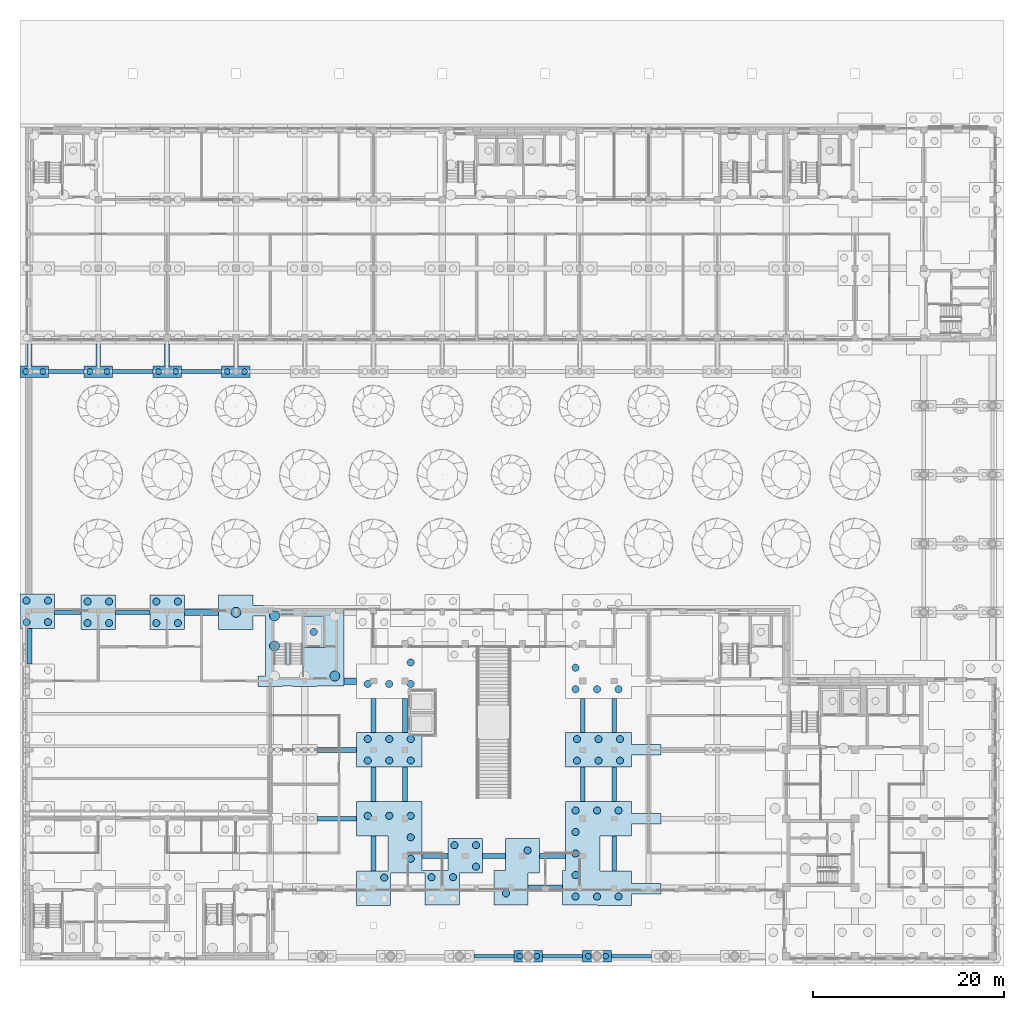
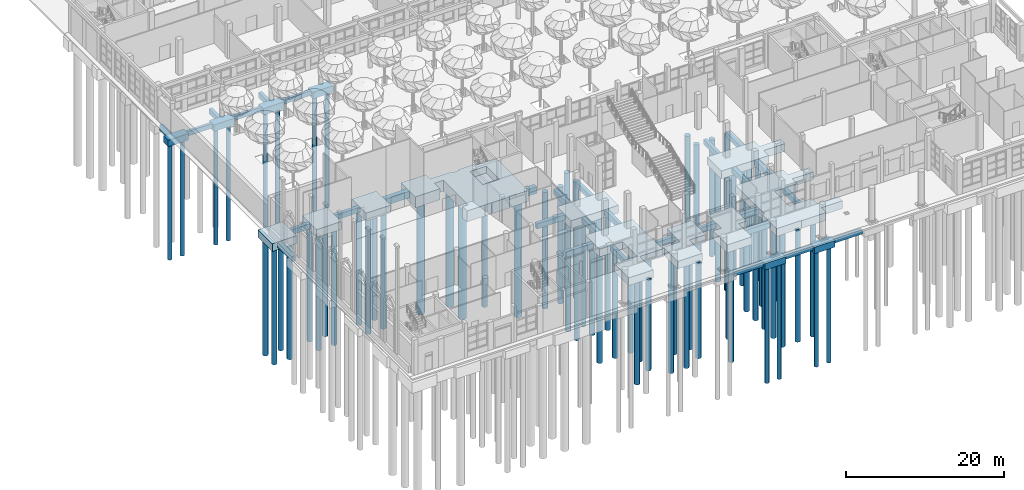
# One storey, part 2 of 80: 71 piles, 46 footings.
"""IFC4 building model written with IfcOpenShell, lengths in metres."""

from ifc_helpers import new_model, si_unit, direction, frame, origin, origin_2d, place, context, subcontext, project, spatial, polyline, rectangle, circle, outline, extrude, material, material_profile, profile_set, type_object, element, save


model = new_model("IFC4")

# Units and contexts
model_context = context("Model", 3, precision=1e-05, world=origin(), true_north=direction((0.0, 1.0)))
body_context = subcontext(model_context, "Body", "Model", "MODEL_VIEW")
ifc_project = project(units=[si_unit("LENGTHUNIT", "METRE"), si_unit("AREAUNIT", "SQUARE_METRE"), si_unit("VOLUMEUNIT", "CUBIC_METRE"), si_unit("PLANEANGLEUNIT", "RADIAN"), si_unit("MASSUNIT", "GRAM", prefix="KILO")], contexts=[model_context])

# Site, building, storey
site_placement = place(None, origin())
site = spatial("IfcSite", under=ifc_project, at=site_placement, CompositionType="ELEMENT")
building_placement = place(site_placement, origin())
building = spatial("IfcBuilding", under=site, at=building_placement, Name="Ussher Court Research Institute", CompositionType="ELEMENT")
storey_placement = place(building_placement, origin())
storey = spatial("IfcBuildingStorey", under=building, at=storey_placement, Name="L00", CompositionType="ELEMENT", Elevation=0.0)

# Piles
ifc_material_1 = material(Name="Concrete C35/45", Category="concrete")
ifc_material_profile_1 = material_profile(ifc_material_1, circle(Radius=0.52490234375, at=origin_2d()), Name="RC D1050")
ifc_profile_set_1 = profile_set([ifc_material_profile_1], Name="Concrete C35/45")
pile_type_1 = type_object("IfcPileType", Name="Bored pile D1050", PredefinedType="BORED", material=ifc_profile_set_1)
for number, where, z_axis, x_axis, name in (
    (1, (28.64990234375, 36.47509765625, -2.10009765625), (0.0, 0.0, -1.0), (1.0, 0.0, 0.0), "P5 033-02"),
    (2, (28.64990234375, 39.625, -2.10009765625), (0.0, 0.0, -1.0), (1.0, 0.0, 0.0), "P5 033-03"),
    (3, (34.949951171875, 33.324951171875, -2.10009765625), (0.0, 0.0, -1.0), (1.0, 0.0, 0.0), "P5 033-05"),
    (4, (24.60009765625, 40.0, -2.10009765625), (0.0, 0.0, -1.0), (1.0, 0.0, 0.0), "P5 033-07"),
):
    element("IfcPile", number, at=place(storey_placement, frame(where, z_axis=z_axis, x_axis=x_axis)), inside=storey, type_object=pile_type_1, Name=name, PredefinedType="BORED", context=body_context, shape_type="SweptSolid", body=[
        extrude(circle(Radius=0.52490234375, at=origin_2d()), origin(), (0.0, 0.0, 1.0), 18.0),
    ])
ifc_material_2 = material(Name="Concrete C35/45", Category="concrete")
ifc_material_profile_2 = material_profile(ifc_material_2, circle(Radius=0.300048828125, at=origin_2d()), Name="RC D600")
ifc_profile_set_2 = profile_set([ifc_material_profile_2], Name="Concrete C35/45")
pile_type_2 = type_object("IfcPileType", Name="Bored pile D600", PredefinedType="BORED", material=ifc_profile_set_2)
for number, where, z_axis, x_axis, name in (
    (5, (2.60009765625, 65.199951171875, -1.39990234375), (0.0, 0.0, -1.0), (1.0, 0.0, 0.0), "P2 013-01"),
    (6, (4.39990234375, 65.199951171875, -1.39990234375), (0.0, 0.0, -1.0), (1.0, 0.0, 0.0), "P2 013-02"),
    (7, (9.300048828125, 65.199951171875, -1.39990234375), (0.0, 0.0, -1.0), (1.0, 0.0, 0.0), "P2 021-01"),
    (8, (11.10009765625, 65.199951171875, -1.39990234375), (0.0, 0.0, -1.0), (1.0, 0.0, 0.0), "P2 021-02"),
    (9, (16.5, 65.199951171875, -1.39990234375), (0.0, 0.0, -1.0), (1.0, 0.0, 0.0), "P2 030-01"),
    (10, (18.300048828125, 65.199951171875, -1.39990234375), (0.0, 0.0, -1.0), (1.0, 0.0, 0.0), "P2 030-02"),
    (11, (23.699951171875, 65.199951171875, -1.39990234375), (0.0, 0.0, -1.0), (1.0, 0.0, 0.0), "P2 038-01"),
    (12, (25.5, 65.199951171875, -1.39990234375), (0.0, 0.0, -1.0), (1.0, 0.0, 0.0), "P2 038-02"),
    (13, (54.300048828125, 4.0, -1.39990234375), (0.0, 0.0, -1.0), (1.0, 0.0, 0.0), "P2 068-01"),
    (14, (56.10009765625, 4.0, -1.39990234375), (0.0, 0.0, -1.0), (1.0, 0.0, 0.0), "P2 068-02"),
    (15, (61.5, 4.0, -1.39990234375), (0.0, 0.0, -1.0), (1.0, 0.0, 0.0), "P2 075-01"),
    (16, (63.300048828125, 4.0, -1.39990234375), (0.0, 0.0, -1.0), (1.0, 0.0, 0.0), "P2 075-02"),
):
    element("IfcPile", number, at=place(storey_placement, frame(where, z_axis=z_axis, x_axis=x_axis)), inside=storey, type_object=pile_type_2, Name=name, PredefinedType="BORED", context=body_context, shape_type="SweptSolid", body=[
        extrude(circle(Radius=0.300048828125, at=origin_2d()), origin(), (0.0, 0.0, 1.0), 18.0),
    ])
ifc_material_3 = material(Name="Concrete C35/45", Category="concrete")
ifc_material_profile_3 = material_profile(ifc_material_3, circle(Radius=0.375, at=origin_2d()), Name="RC D750")
ifc_profile_set_3 = profile_set([ifc_material_profile_3], Name="Concrete C35/45")
pile_type_3 = type_object("IfcPileType", Name="Bored pile D750", PredefinedType="BORED", material=ifc_profile_set_3)
for number, where, z_axis, x_axis, name in (
    (17, (32.75, 37.949951171875, -2.64990234375), (0.0, 0.0, -1.0), (1.0, 0.0, 0.0), "P1 003-01"),
    (18, (2.675048828125, 38.97509765625, -1.60009765625), (0.0, 0.0, -1.0), (1.0, 0.0, 0.0), "P1 012-01"),
    (19, (2.675048828125, 41.22509765625, -1.60009765625), (0.0, 0.0, -1.0), (1.0, 0.0, 0.0), "P1 012-02"),
    (20, (4.925048828125, 38.97509765625, -1.60009765625), (0.0, 0.0, -1.0), (1.0, 0.0, 0.0), "P1 012-03"),
    (21, (4.925048828125, 41.22509765625, -1.60009765625), (0.0, 0.0, -1.0), (1.0, 0.0, 0.0), "P1 012-04"),
    (22, (9.074951171875, 38.875, -1.60009765625), (0.0, 0.0, -1.0), (1.0, 0.0, 0.0), "P1 018-01"),
    (23, (9.074951171875, 41.125, -1.60009765625), (0.0, 0.0, -1.0), (1.0, 0.0, 0.0), "P1 018-02"),
    (24, (11.324951171875, 38.875, -1.60009765625), (0.0, 0.0, -1.0), (1.0, 0.0, 0.0), "P1 018-03"),
    (25, (11.324951171875, 41.125, -1.60009765625), (0.0, 0.0, -1.0), (1.0, 0.0, 0.0), "P1 018-04"),
    (26, (16.27490234375, 38.875, -1.60009765625), (0.0, 0.0, -1.0), (1.0, 0.0, 0.0), "P1 025-01"),
    (27, (16.27490234375, 41.125, -1.60009765625), (0.0, 0.0, -1.0), (1.0, 0.0, 0.0), "P1 025-02"),
    (28, (18.52490234375, 38.875, -1.60009765625), (0.0, 0.0, -1.0), (1.0, 0.0, 0.0), "P1 025-03"),
    (29, (18.52490234375, 41.125, -1.60009765625), (0.0, 0.0, -1.0), (1.0, 0.0, 0.0), "P1 025-04"),
    (30, (38.39990234375, 18.699951171875, -1.60009765625), (0.0, 0.0, -1.0), (1.0, 0.0, 0.0), "P1 049-01"),
    (31, (40.64990234375, 18.699951171875, -1.60009765625), (0.0, 0.0, -1.0), (1.0, 0.0, 0.0), "P1 049-02"),
    (32, (42.89990234375, 14.199951171875, -1.60009765625), (0.0, 0.0, -1.0), (1.0, 0.0, 0.0), "P1 049-03"),
    (33, (42.89990234375, 16.449951171875, -1.60009765625), (0.0, 0.0, -1.0), (1.0, 0.0, 0.0), "P1 049-04"),
    (34, (42.89990234375, 18.699951171875, -1.60009765625), (0.0, 0.0, -1.0), (1.0, 0.0, 0.0), "P1 049-05"),
    (35, (40.125, 12.22509765625, -1.60009765625), (0.0, 0.0, -1.0), (1.0, 0.0, 0.0), "P1 049-09"),
    (36, (45.074951171875, 12.27490234375, -1.60009765625), (0.0, 0.0, -1.0), (1.0, 0.0, 0.0), "P1 049-11"),
    (37, (47.324951171875, 12.27490234375, -1.60009765625), (0.0, 0.0, -1.0), (1.0, 0.0, 0.0), "P1 049-13"),
    (38, (47.47509765625, 15.625, -1.60009765625), (0.0, 0.0, -1.0), (1.0, 0.0, 0.0), "P1 049-14"),
    (39, (49.72509765625, 13.375, -1.60009765625), (0.0, 0.0, -1.0), (1.0, 0.0, 0.0), "P1 049-15"),
    (40, (49.72509765625, 15.625, -1.60009765625), (0.0, 0.0, -1.0), (1.0, 0.0, 0.0), "P1 049-16"),
    (41, (38.39990234375, 24.47509765625, -1.60009765625), (0.0, 0.0, -1.0), (1.0, 0.0, 0.0), "P1 050-01"),
    (42, (38.39990234375, 26.72509765625, -1.60009765625), (0.0, 0.0, -1.0), (1.0, 0.0, 0.0), "P1 050-02"),
    (43, (40.64990234375, 24.47509765625, -1.60009765625), (0.0, 0.0, -1.0), (1.0, 0.0, 0.0), "P1 050-03"),
    (44, (40.64990234375, 26.72509765625, -1.60009765625), (0.0, 0.0, -1.0), (1.0, 0.0, 0.0), "P1 050-04"),
    (45, (42.89990234375, 24.47509765625, -1.60009765625), (0.0, 0.0, -1.0), (1.0, 0.0, 0.0), "P1 050-05"),
    (46, (42.89990234375, 26.72509765625, -1.60009765625), (0.0, 0.0, -1.0), (1.0, 0.0, 0.0), "P1 050-06"),
    (47, (38.39990234375, 32.5, -1.60009765625), (0.0, 0.0, -1.0), (1.0, 0.0, 0.0), "P1 051-01"),
    (48, (40.64990234375, 32.5, -1.60009765625), (0.0, 0.0, -1.0), (1.0, 0.0, 0.0), "P1 051-02"),
    (49, (42.89990234375, 32.5, -1.60009765625), (0.0, 0.0, -1.0), (1.0, 0.0, 0.0), "P1 051-03"),
    (50, (42.89990234375, 34.75, -1.60009765625), (0.0, 0.0, -1.0), (1.0, 0.0, 0.0), "P1 051-04"),
    (51, (52.875, 10.574951171875, -1.60009765625), (0.0, 0.0, -1.0), (1.0, 0.0, 0.0), "P1 063-01"),
    (52, (55.125, 15.074951171875, -1.60009765625), (0.0, 0.0, -1.0), (1.0, 0.0, 0.0), "P1 063-02"),
    (53, (60.14990234375, 10.25, -1.60009765625), (0.0, 0.0, -1.0), (1.0, 0.0, 0.0), "P1 069-01"),
    (54, (60.14990234375, 12.5, -1.60009765625), (0.0, 0.0, -1.0), (1.0, 0.0, 0.0), "P1 069-02"),
    (55, (60.14990234375, 14.75, -1.60009765625), (0.0, 0.0, -1.0), (1.0, 0.0, 0.0), "P1 069-03"),
    (56, (60.14990234375, 17.0, -1.60009765625), (0.0, 0.0, -1.0), (1.0, 0.0, 0.0), "P1 069-04"),
    (57, (60.14990234375, 19.25, -1.60009765625), (0.0, 0.0, -1.0), (1.0, 0.0, 0.0), "P1 069-05"),
    (58, (62.39990234375, 10.25, -1.60009765625), (0.0, 0.0, -1.0), (1.0, 0.0, 0.0), "P1 069-06"),
    (59, (62.39990234375, 19.25, -1.60009765625), (0.0, 0.0, -1.0), (1.0, 0.0, 0.0), "P1 069-07"),
    (60, (64.64990234375, 10.25, -1.60009765625), (0.0, 0.0, -1.0), (1.0, 0.0, 0.0), "P1 069-08"),
    (61, (64.64990234375, 19.25, -1.60009765625), (0.0, 0.0, -1.0), (1.0, 0.0, 0.0), "P1 069-09"),
    (62, (60.14990234375, 31.949951171875, -1.60009765625), (0.0, 0.0, -1.0), (1.0, 0.0, 0.0), "P1 070-01"),
    (63, (60.14990234375, 34.199951171875, -1.60009765625), (0.0, 0.0, -1.0), (1.0, 0.0, 0.0), "P1 070-02"),
    (64, (62.39990234375, 31.949951171875, -1.60009765625), (0.0, 0.0, -1.0), (1.0, 0.0, 0.0), "P1 070-06"),
    (65, (64.64990234375, 31.949951171875, -1.60009765625), (0.0, 0.0, -1.0), (1.0, 0.0, 0.0), "P1 070-08"),
    (66, (60.300048828125, 24.47509765625, -1.60009765625), (0.0, 0.0, -1.0), (1.0, 0.0, 0.0), "P1 073-01"),
    (67, (60.300048828125, 26.72509765625, -1.60009765625), (0.0, 0.0, -1.0), (1.0, 0.0, 0.0), "P1 073-02"),
    (68, (62.550048828125, 24.47509765625, -1.60009765625), (0.0, 0.0, -1.0), (1.0, 0.0, 0.0), "P1 073-03"),
    (69, (62.550048828125, 26.72509765625, -1.60009765625), (0.0, 0.0, -1.0), (1.0, 0.0, 0.0), "P1 073-04"),
    (70, (64.800048828125, 24.47509765625, -1.60009765625), (0.0, 0.0, -1.0), (1.0, 0.0, 0.0), "P1 073-05"),
    (71, (64.800048828125, 26.72509765625, -1.60009765625), (0.0, 0.0, -1.0), (1.0, 0.0, 0.0), "P1 073-06"),
):
    element("IfcPile", number, at=place(storey_placement, frame(where, z_axis=z_axis, x_axis=x_axis)), inside=storey, type_object=pile_type_3, Name=name, PredefinedType="BORED", context=body_context, shape_type="SweptSolid", body=[
        extrude(circle(Radius=0.375, at=origin_2d()), origin(), (0.0, 0.0, 1.0), 18.0),
    ])

# Footings
ifc_material_4 = material(Name="Concrete C35/45", Category="concrete")
footing_type_1 = type_object("IfcFootingType", Name="Core raft 13100x9550x1700", PredefinedType="PILE_CAP", material=ifc_material_4)
footing_1_placement = place(storey_placement, frame((0.0, 0.0, -2.25)))
element("IfcFooting", 72, at=footing_1_placement, inside=storey, type_object=footing_type_1, Name="CR18 033", PredefinedType="PILE_CAP", context=body_context, shape_type="SweptSolid", body=[
    extrude(outline(polyline([(26.39990234375, 40.699951171875), (26.39990234375, 41.800048828125), (22.800048828125, 41.800048828125), (22.800048828125, 38.199951171875), (26.39990234375, 38.199951171875), (26.39990234375, 39.60009765625), (27.699951171875, 39.60009765625), (27.699951171875, 33.35009765625), (26.89990234375, 33.35009765625), (26.89990234375, 32.25), (29.5, 32.25), (29.5, 32.300048828125), (30.5, 32.300048828125), (30.5, 32.25), (33.10009765625, 32.25), (33.10009765625, 32.300048828125), (35.89990234375, 32.300048828125), (35.89990234375, 40.5), (33.10009765625, 40.5), (33.10009765625, 40.699951171875), (30.5, 40.699951171875), (30.5, 40.5), (29.5, 40.5), (29.5, 40.699951171875), (26.39990234375, 40.699951171875)]), holes=[polyline([(33.949951171875, 39.60009765625), (33.949951171875, 36.300048828125), (31.550048828125, 36.300048828125), (31.550048828125, 39.60009765625), (33.949951171875, 39.60009765625)])]), origin(), (0.0, 0.0, 1.0), 1.699951171875),
])
ifc_material_5 = material(Name="Concrete C35/45", Category="concrete")
footing_type_2 = type_object("IfcFootingType", Name="Core raft 3300x2400x1200", PredefinedType="PILE_CAP", material=ifc_material_5)
footing_2_placement = place(storey_placement, frame((0.0, 0.0, -2.800048828125)))
element("IfcFooting", 73, at=footing_2_placement, inside=storey, type_object=footing_type_2, Name="CR3 003", PredefinedType="PILE_CAP", context=body_context, shape_type="SweptSolid", body=[
    extrude(outline(polyline([(33.949951171875, 36.300048828125), (33.949951171875, 39.60009765625), (31.550048828125, 39.60009765625), (31.550048828125, 36.300048828125), (33.949951171875, 36.300048828125)])), origin(), (0.0, 0.0, 1.0), 1.199951171875),
])
ifc_material_6 = material(Name="Concrete C35/45", Category="concrete")
footing_type_3 = type_object("IfcFootingType", Name="Pile cap 10000x3600x1200", PredefinedType="PILE_CAP", material=ifc_material_6)
footing_3_placement = place(storey_placement, frame((0.0, 0.0, -1.75)))
element("IfcFooting", 74, at=footing_3_placement, inside=storey, type_object=footing_type_3, Name="PC11 073", PredefinedType="PILE_CAP", context=body_context, shape_type="SweptSolid", body=[
    extrude(outline(polyline([(66.0, 23.800048828125), (66.0, 25.050048828125), (69.10009765625, 25.050048828125), (69.10009765625, 26.14990234375), (66.0, 26.14990234375), (66.0, 27.39990234375), (59.10009765625, 27.39990234375), (59.10009765625, 23.800048828125), (66.0, 23.800048828125)])), origin(), (0.0, 0.0, 1.0), 1.199951171875),
])
ifc_material_7 = material(Name="Concrete C35/45", Category="concrete")
footing_type_4 = type_object("IfcFootingType", Name="Pile cap 10900x10300x1200", PredefinedType="PILE_CAP", material=ifc_material_7)
footing_4_placement = place(storey_placement, frame((0.0, 0.0, -1.75)))
element("IfcFooting", 75, at=footing_4_placement, inside=storey, type_object=footing_type_4, Name="PC16 069", PredefinedType="PILE_CAP", context=body_context, shape_type="SweptSolid", body=[
    extrude(outline(polyline([(59.10009765625, 12.949951171875), (58.800048828125, 12.949951171875), (58.800048828125, 9.35009765625), (62.39990234375, 9.35009765625), (62.39990234375, 9.300048828125), (66.0, 9.300048828125), (66.0, 10.5), (69.10009765625, 10.5), (69.10009765625, 11.60009765625), (66.0, 11.60009765625), (66.0, 12.89990234375), (62.699951171875, 12.89990234375), (62.699951171875, 16.60009765625), (66.0, 16.60009765625), (66.0, 17.85009765625), (69.10009765625, 17.85009765625), (69.10009765625, 18.949951171875), (66.0, 18.949951171875), (66.0, 20.199951171875), (59.10009765625, 20.199951171875), (59.10009765625, 12.949951171875)])), origin(), (0.0, 0.0, 1.0), 1.199951171875),
])
ifc_material_8 = material(Name="Concrete C35/45", Category="concrete")
footing_type_5 = type_object("IfcFootingType", Name="Pile cap 13200x10900x1200", PredefinedType="PILE_CAP", material=ifc_material_8)
footing_5_placement = place(storey_placement, frame((0.0, 0.0, -1.75)))
element("IfcFooting", 76, at=footing_5_placement, inside=storey, type_object=footing_type_5, Name="PC19 049", PredefinedType="PILE_CAP", context=body_context, shape_type="SweptSolid", body=[
    extrude(outline(polyline([(37.199951171875, 12.89990234375), (37.199951171875, 9.300048828125), (40.800048828125, 9.300048828125), (40.800048828125, 12.699951171875), (44.39990234375, 12.699951171875), (44.39990234375, 9.35009765625), (48.0, 9.35009765625), (48.0, 12.699951171875), (50.39990234375, 12.699951171875), (50.39990234375, 16.300048828125), (46.800048828125, 16.300048828125), (46.800048828125, 12.949951171875), (44.10009765625, 12.949951171875), (44.10009765625, 20.199951171875), (37.199951171875, 20.199951171875), (37.199951171875, 16.60009765625), (40.5, 16.60009765625), (40.5, 12.89990234375), (37.199951171875, 12.89990234375)])), origin(), (0.0, 0.0, 1.0), 1.199951171875),
])
ifc_material_9 = material(Name="Concrete C35/45", Category="concrete")
footing_type_6 = type_object("IfcFootingType", Name="Pile cap 3000x1200x1000", PredefinedType="PILE_CAP", material=ifc_material_9)
footing_6_placement = place(storey_placement, frame((0.0, 0.0, -1.550048828125)))
element("IfcFooting", 77, at=footing_6_placement, inside=storey, type_object=footing_type_6, Name="PC2 013", PredefinedType="PILE_CAP", context=body_context, shape_type="SweptSolid", body=[
    extrude(outline(polyline([(2.0, 64.60009765625), (5.0, 64.60009765625), (5.0, 65.800048828125), (2.0, 65.800048828125), (2.0, 64.60009765625)])), origin(), (0.0, 0.0, 1.0), 1.0),
])
footing_7_placement = place(storey_placement, frame((0.0, 0.0, -1.550048828125)))
element("IfcFooting", 78, at=footing_7_placement, inside=storey, type_object=footing_type_6, Name="PC2 021", PredefinedType="PILE_CAP", context=body_context, shape_type="SweptSolid", body=[
    extrude(outline(polyline([(8.699951171875, 64.60009765625), (11.699951171875, 64.60009765625), (11.699951171875, 65.800048828125), (8.699951171875, 65.800048828125), (8.699951171875, 64.60009765625)])), origin(), (0.0, 0.0, 1.0), 1.0),
])
footing_8_placement = place(storey_placement, frame((0.0, 0.0, -1.550048828125)))
element("IfcFooting", 79, at=footing_8_placement, inside=storey, type_object=footing_type_6, Name="PC2 030", PredefinedType="PILE_CAP", context=body_context, shape_type="SweptSolid", body=[
    extrude(outline(polyline([(15.89990234375, 64.60009765625), (18.89990234375, 64.60009765625), (18.89990234375, 65.800048828125), (15.89990234375, 65.800048828125), (15.89990234375, 64.60009765625)])), origin(), (0.0, 0.0, 1.0), 1.0),
])
footing_9_placement = place(storey_placement, frame((0.0, 0.0, -1.550048828125)))
element("IfcFooting", 80, at=footing_9_placement, inside=storey, type_object=footing_type_6, Name="PC2 038", PredefinedType="PILE_CAP", context=body_context, shape_type="SweptSolid", body=[
    extrude(outline(polyline([(23.10009765625, 64.60009765625), (26.10009765625, 64.60009765625), (26.10009765625, 65.800048828125), (23.10009765625, 65.800048828125), (23.10009765625, 64.60009765625)])), origin(), (0.0, 0.0, 1.0), 1.0),
])
footing_10_placement = place(storey_placement, frame((0.0, 0.0, -1.550048828125)))
element("IfcFooting", 81, at=footing_10_placement, inside=storey, type_object=footing_type_6, Name="PC2 068", PredefinedType="PILE_CAP", context=body_context, shape_type="SweptSolid", body=[
    extrude(outline(polyline([(53.699951171875, 3.39990234375), (56.699951171875, 3.39990234375), (56.699951171875, 4.60009765625), (53.699951171875, 4.60009765625), (53.699951171875, 3.39990234375)])), origin(), (0.0, 0.0, 1.0), 1.0),
])
footing_11_placement = place(storey_placement, frame((0.0, 0.0, -1.550048828125)))
element("IfcFooting", 82, at=footing_11_placement, inside=storey, type_object=footing_type_6, Name="PC2 075", PredefinedType="PILE_CAP", context=body_context, shape_type="SweptSolid", body=[
    extrude(outline(polyline([(60.89990234375, 3.39990234375), (63.89990234375, 3.39990234375), (63.89990234375, 4.60009765625), (60.89990234375, 4.60009765625), (60.89990234375, 3.39990234375)])), origin(), (0.0, 0.0, 1.0), 1.0),
])
ifc_material_10 = material(Name="Concrete C35/45", Category="concrete")
footing_type_7 = type_object("IfcFootingType", Name="Pile cap 3600x3600x1200", PredefinedType="PILE_CAP", material=ifc_material_10)
footing_12_placement = place(storey_placement, frame((0.0, 0.0, -1.75)))
element("IfcFooting", 83, at=footing_12_placement, inside=storey, type_object=footing_type_7, Name="PC5 012", PredefinedType="PILE_CAP", context=body_context, shape_type="SweptSolid", body=[
    extrude(outline(polyline([(2.0, 38.300048828125), (5.60009765625, 38.300048828125), (5.60009765625, 41.89990234375), (2.0, 41.89990234375), (2.0, 38.300048828125)])), origin(), (0.0, 0.0, 1.0), 1.199951171875),
])
footing_13_placement = place(storey_placement, frame((0.0, 0.0, -1.75)))
element("IfcFooting", 84, at=footing_13_placement, inside=storey, type_object=footing_type_7, Name="PC5 018", PredefinedType="PILE_CAP", context=body_context, shape_type="SweptSolid", body=[
    extrude(outline(polyline([(8.39990234375, 38.199951171875), (12.0, 38.199951171875), (12.0, 41.800048828125), (8.39990234375, 41.800048828125), (8.39990234375, 38.199951171875)])), origin(), (0.0, 0.0, 1.0), 1.199951171875),
])
footing_14_placement = place(storey_placement, frame((0.0, 0.0, -1.75)))
element("IfcFooting", 85, at=footing_14_placement, inside=storey, type_object=footing_type_7, Name="PC5 025", PredefinedType="PILE_CAP", context=body_context, shape_type="SweptSolid", body=[
    extrude(outline(polyline([(15.60009765625, 38.199951171875), (19.199951171875, 38.199951171875), (19.199951171875, 41.800048828125), (15.60009765625, 41.800048828125), (15.60009765625, 38.199951171875)])), origin(), (0.0, 0.0, 1.0), 1.199951171875),
])
ifc_material_11 = material(Name="Concrete C35/45", Category="concrete")
footing_type_8 = type_object("IfcFootingType", Name="Pile cap 6900x3600x1200", PredefinedType="PILE_CAP", material=ifc_material_11)
footing_15_placement = place(storey_placement, frame((0.0, 0.0, -1.75)))
element("IfcFooting", 86, at=footing_15_placement, inside=storey, type_object=footing_type_8, Name="PC8 050", PredefinedType="PILE_CAP", context=body_context, shape_type="SweptSolid", body=[
    extrude(outline(polyline([(44.10009765625, 23.800048828125), (44.10009765625, 27.39990234375), (37.199951171875, 27.39990234375), (37.199951171875, 23.800048828125), (44.10009765625, 23.800048828125)])), origin(), (0.0, 0.0, 1.0), 1.199951171875),
])
ifc_material_12 = material(Name="Concrete C35/45", Category="concrete")
footing_type_9 = type_object("IfcFootingType", Name="Pile cap 6950x4800x1200", PredefinedType="PILE_CAP", material=ifc_material_12)
footing_16_placement = place(storey_placement, frame((0.0, 0.0, -1.75)))
element("IfcFooting", 87, at=footing_16_placement, inside=storey, type_object=footing_type_9, Name="PC9 063", PredefinedType="PILE_CAP", context=body_context, shape_type="SweptSolid", body=[
    extrude(outline(polyline([(51.60009765625, 9.35009765625), (55.199951171875, 9.35009765625), (55.199951171875, 12.699951171875), (56.39990234375, 12.699951171875), (56.39990234375, 16.300048828125), (52.800048828125, 16.300048828125), (52.800048828125, 12.949951171875), (51.60009765625, 12.949951171875), (51.60009765625, 9.35009765625)])), origin(), (0.0, 0.0, 1.0), 1.199951171875),
])
ifc_material_13 = material(Name="Concrete C35/45", Category="concrete")
ifc_material_profile_4 = material_profile(ifc_material_13, rectangle(XDim=0.39990234375, YDim=0.699951171875, at=origin_2d()), Name="RC 400x700")
ifc_profile_set_4 = profile_set([ifc_material_profile_4], Name="Concrete C35/45")
footing_type_10 = type_object("IfcFootingType", Name="RC 400x700 ground beam", PredefinedType="FOOTING_BEAM", material=ifc_profile_set_4)
for number, where, z_axis, x_axis, name in (
    (88, (49.5009765625, 4.0, -0.89990234375), (1.0, 0.0, 0.0), (0.0, 1.0, 0.0), "GB2 006"),
    (89, (56.700927734375, 4.0, -0.89990234375), (1.0, 0.0, 0.0), (0.0, 1.0, 0.0), "GB2 007"),
):
    element("IfcFooting", number, at=place(storey_placement, frame(where, z_axis=z_axis, x_axis=x_axis)), inside=storey, type_object=footing_type_10, Name=name, PredefinedType="FOOTING_BEAM", context=body_context, shape_type="SweptSolid", body=[
        extrude(rectangle(XDim=0.39990234375, YDim=0.699951171875, at=origin_2d()), origin(), (0.0, 0.0, 1.0), 4.197998046875),
    ])
footing_17_placement = place(storey_placement, frame((63.90087890625, 4.0, -0.89990234375), z_axis=(1.0, 0.0, 0.0), x_axis=(0.0, 1.0, 0.0)))
element("IfcFooting", 90, at=footing_17_placement, inside=storey, type_object=footing_type_10, Name="GB2 008", PredefinedType="FOOTING_BEAM", context=body_context, shape_type="SweptSolid", body=[
    extrude(rectangle(XDim=0.39990234375, YDim=0.699951171875, at=origin_2d()), origin(), (0.0, 0.0, 1.0), 4.1982421875),
])
footing_18_placement = place(storey_placement, frame((5.0009765625, 65.199951171875, -0.89990234375), z_axis=(1.0, 0.0, 0.0), x_axis=(0.0, 1.0, 0.0)))
element("IfcFooting", 91, at=footing_18_placement, inside=storey, type_object=footing_type_10, Name="GB2 060", PredefinedType="FOOTING_BEAM", context=body_context, shape_type="SweptSolid", body=[
    extrude(rectangle(XDim=0.39990234375, YDim=0.699951171875, at=origin_2d()), origin(), (0.0, 0.0, 1.0), 3.697998046875),
])
footing_19_placement = place(storey_placement, frame((11.700927734375, 65.199951171875, -0.89990234375), z_axis=(1.0, 0.0, 0.0), x_axis=(0.0, 1.0, 0.0)))
element("IfcFooting", 92, at=footing_19_placement, inside=storey, type_object=footing_type_10, Name="GB2 061", PredefinedType="FOOTING_BEAM", context=body_context, shape_type="SweptSolid", body=[
    extrude(rectangle(XDim=0.39990234375, YDim=0.699951171875, at=origin_2d()), origin(), (0.0, 0.0, 1.0), 4.197998046875),
])
footing_20_placement = place(storey_placement, frame((18.90087890625, 65.199951171875, -0.89990234375), z_axis=(1.0, 0.0, 0.0), x_axis=(0.0, 1.0, 0.0)))
element("IfcFooting", 93, at=footing_20_placement, inside=storey, type_object=footing_type_10, Name="GB2 062", PredefinedType="FOOTING_BEAM", context=body_context, shape_type="SweptSolid", body=[
    extrude(rectangle(XDim=0.39990234375, YDim=0.699951171875, at=origin_2d()), origin(), (0.0, 0.0, 1.0), 4.1982421875),
])
ifc_material_14 = material(Name="Concrete C35/45", Category="concrete")
ifc_material_profile_5 = material_profile(ifc_material_14, rectangle(XDim=0.5, YDim=0.800048828125, at=origin_2d()), Name="RC 500x800")
ifc_profile_set_5 = profile_set([ifc_material_profile_5], Name="Concrete C35/45")
footing_type_11 = type_object("IfcFootingType", Name="RC 500x800 ground beam", PredefinedType="FOOTING_BEAM", material=ifc_profile_set_5)
footing_21_placement = place(storey_placement, frame((55.200927734375, 11.199951171875, -0.949951171875), z_axis=(1.0, 0.0, 0.0), x_axis=(0.0, 1.0, 0.0)))
element("IfcFooting", 94, at=footing_21_placement, inside=storey, type_object=footing_type_11, Name="GB1 020", PredefinedType="FOOTING_BEAM", context=body_context, shape_type="SweptSolid", body=[
    extrude(rectangle(XDim=0.5, YDim=0.800048828125, at=origin_2d()), origin(), (0.0, 0.0, 1.0), 3.59814453125),
])
footing_22_placement = place(storey_placement, frame((44.10107421875, 14.5, -0.949951171875), z_axis=(1.0, 0.0, 0.0), x_axis=(0.0, 1.0, 0.0)))
element("IfcFooting", 95, at=footing_22_placement, inside=storey, type_object=footing_type_11, Name="GB1 025", PredefinedType="FOOTING_BEAM", context=body_context, shape_type="SweptSolid", body=[
    extrude(rectangle(XDim=0.5, YDim=0.800048828125, at=origin_2d()), origin(), (0.0, 0.0, 1.0), 2.697998046875),
])
footing_23_placement = place(storey_placement, frame((50.40087890625, 14.5, -0.949951171875), z_axis=(1.0, 0.0, 0.0), x_axis=(0.0, 1.0, 0.0)))
element("IfcFooting", 96, at=footing_23_placement, inside=storey, type_object=footing_type_11, Name="GB1 026", PredefinedType="FOOTING_BEAM", context=body_context, shape_type="SweptSolid", body=[
    extrude(rectangle(XDim=0.5, YDim=0.800048828125, at=origin_2d()), origin(), (0.0, 0.0, 1.0), 2.398193359375),
])
footing_24_placement = place(storey_placement, frame((56.40087890625, 14.5, -0.949951171875), z_axis=(1.0, 0.0, 0.0), x_axis=(0.0, 1.0, 0.0)))
element("IfcFooting", 97, at=footing_24_placement, inside=storey, type_object=footing_type_11, Name="GB1 027", PredefinedType="FOOTING_BEAM", context=body_context, shape_type="SweptSolid", body=[
    extrude(rectangle(XDim=0.5, YDim=0.800048828125, at=origin_2d()), origin(), (0.0, 0.0, 1.0), 2.6982421875),
])
for number, where, z_axis, x_axis, name in (
    (98, (33.10107421875, 18.39990234375, -0.949951171875), (1.0, 0.0, 0.0), (0.0, 1.0, 0.0), "GB1 032"),
    (99, (33.10107421875, 25.60009765625, -0.949951171875), (1.0, 0.0, 0.0), (0.0, 1.0, 0.0), "GB1 038"),
):
    element("IfcFooting", number, at=place(storey_placement, frame(where, z_axis=z_axis, x_axis=x_axis)), inside=storey, type_object=footing_type_11, Name=name, PredefinedType="FOOTING_BEAM", context=body_context, shape_type="SweptSolid", body=[
        extrude(rectangle(XDim=0.5, YDim=0.800048828125, at=origin_2d()), origin(), (0.0, 0.0, 1.0), 4.097900390625),
    ])
footing_25_placement = place(storey_placement, frame((5.60107421875, 40.0, -0.949951171875), z_axis=(1.0, 0.0, 0.0), x_axis=(0.0, 1.0, 0.0)))
element("IfcFooting", 100, at=footing_25_placement, inside=storey, type_object=footing_type_11, Name="GB1 048", PredefinedType="FOOTING_BEAM", context=body_context, shape_type="SweptSolid", body=[
    extrude(rectangle(XDim=0.5, YDim=0.800048828125, at=origin_2d()), origin(), (0.0, 0.0, 1.0), 2.7978515625),
])
footing_26_placement = place(storey_placement, frame((12.0009765625, 40.0, -0.949951171875), z_axis=(1.0, 0.0, 0.0), x_axis=(0.0, 1.0, 0.0)))
element("IfcFooting", 101, at=footing_26_placement, inside=storey, type_object=footing_type_11, Name="GB1 049", PredefinedType="FOOTING_BEAM", context=body_context, shape_type="SweptSolid", body=[
    extrude(rectangle(XDim=0.5, YDim=0.800048828125, at=origin_2d()), origin(), (0.0, 0.0, 1.0), 3.59814453125),
])
footing_27_placement = place(storey_placement, frame((3.0, 34.60107421875, -0.949951171875), z_axis=(0.0, 1.0, 0.0), x_axis=(-1.0, 0.0, 0.0)))
element("IfcFooting", 102, at=footing_27_placement, inside=storey, type_object=footing_type_11, Name="GB1 118", PredefinedType="FOOTING_BEAM", context=body_context, shape_type="SweptSolid", body=[
    extrude(rectangle(XDim=0.5, YDim=0.800048828125, at=origin_2d()), origin(), (0.0, 0.0, 1.0), 3.697998046875),
])
for number, where, z_axis, x_axis, name in (
    (103, (3.0, 65.801025390625, -0.949951171875), (0.0, 1.0, 0.0), (-1.0, 0.0, 0.0), "GB1 119"),
    (104, (10.199951171875, 65.801025390625, -0.949951171875), (0.0, 1.0, 0.0), (-1.0, 0.0, 0.0), "GB1 123"),
    (105, (17.39990234375, 65.801025390625, -0.949951171875), (0.0, 1.0, 0.0), (-1.0, 0.0, 0.0), "GB1 128"),
):
    element("IfcFooting", number, at=place(storey_placement, frame(where, z_axis=z_axis, x_axis=x_axis)), inside=storey, type_object=footing_type_11, Name=name, PredefinedType="FOOTING_BEAM", context=body_context, shape_type="SweptSolid", body=[
        extrude(rectangle(XDim=0.5, YDim=0.800048828125, at=origin_2d()), origin(), (0.0, 0.0, 1.0), 2.27294921875),
    ])
footing_28_placement = place(storey_placement, frame((39.0, 12.90087890625, -0.949951171875), z_axis=(0.0, 1.0, 0.0), x_axis=(-1.0, 0.0, 0.0)))
element("IfcFooting", 106, at=footing_28_placement, inside=storey, type_object=footing_type_11, Name="GB1 147", PredefinedType="FOOTING_BEAM", context=body_context, shape_type="SweptSolid", body=[
    extrude(rectangle(XDim=0.5, YDim=0.800048828125, at=origin_2d()), origin(), (0.0, 0.0, 1.0), 3.6982421875),
])
for number, where, z_axis, x_axis, name in (
    (107, (39.0, 20.200927734375, -0.949951171875), (0.0, 1.0, 0.0), (-1.0, 0.0, 0.0), "GB1 148"),
    (108, (39.0, 27.40087890625, -0.949951171875), (0.0, 1.0, 0.0), (-1.0, 0.0, 0.0), "GB1 149"),
    (109, (42.300048828125, 20.200927734375, -0.949951171875), (0.0, 1.0, 0.0), (-1.0, 0.0, 0.0), "GB1 155"),
    (110, (42.300048828125, 27.40087890625, -0.949951171875), (0.0, 1.0, 0.0), (-1.0, 0.0, 0.0), "GB1 156"),
    (111, (60.89990234375, 20.200927734375, -0.949951171875), (0.0, 1.0, 0.0), (-1.0, 0.0, 0.0), "GB1 166"),
    (112, (60.89990234375, 27.40087890625, -0.949951171875), (0.0, 1.0, 0.0), (-1.0, 0.0, 0.0), "GB1 167"),
):
    element("IfcFooting", number, at=place(storey_placement, frame(where, z_axis=z_axis, x_axis=x_axis)), inside=storey, type_object=footing_type_11, Name=name, PredefinedType="FOOTING_BEAM", context=body_context, shape_type="SweptSolid", body=[
        extrude(rectangle(XDim=0.5, YDim=0.800048828125, at=origin_2d()), origin(), (0.0, 0.0, 1.0), 3.59814453125),
    ])
footing_29_placement = place(storey_placement, frame((64.199951171875, 12.90087890625, -0.949951171875), z_axis=(0.0, 1.0, 0.0), x_axis=(-1.0, 0.0, 0.0)))
element("IfcFooting", 113, at=footing_29_placement, inside=storey, type_object=footing_type_11, Name="GB1 168", PredefinedType="FOOTING_BEAM", context=body_context, shape_type="SweptSolid", body=[
    extrude(rectangle(XDim=0.5, YDim=0.800048828125, at=origin_2d()), origin(), (0.0, 0.0, 1.0), 3.6982421875),
])
for number, where, z_axis, x_axis, name in (
    (114, (64.199951171875, 20.200927734375, -0.949951171875), (0.0, 1.0, 0.0), (-1.0, 0.0, 0.0), "GB1 169"),
    (115, (64.199951171875, 27.40087890625, -0.949951171875), (0.0, 1.0, 0.0), (-1.0, 0.0, 0.0), "GB1 170"),
):
    element("IfcFooting", number, at=place(storey_placement, frame(where, z_axis=z_axis, x_axis=x_axis)), inside=storey, type_object=footing_type_11, Name=name, PredefinedType="FOOTING_BEAM", context=body_context, shape_type="SweptSolid", body=[
        extrude(rectangle(XDim=0.5, YDim=0.800048828125, at=origin_2d()), origin(), (0.0, 0.0, 1.0), 3.59814453125),
    ])
ifc_material_15 = material(Name="Concrete C35/45", Category="concrete")
ifc_material_profile_6 = material_profile(ifc_material_15, rectangle(XDim=0.699951171875, YDim=1.0, at=origin_2d()), Name="RC 700x1000")
ifc_profile_set_6 = profile_set([ifc_material_profile_6], Name="Concrete C35/45")
footing_type_12 = type_object("IfcFootingType", Name="RC 700x1000 ground beam", PredefinedType="FOOTING_BEAM", material=ifc_profile_set_6)
footing_30_placement = place(storey_placement, frame((35.90087890625, 32.800048828125, -1.050048828125), z_axis=(1.0, 0.0, 0.0), x_axis=(0.0, 1.0, 0.0)))
element("IfcFooting", 116, at=footing_30_placement, inside=storey, type_object=footing_type_12, Name="GB5 042", PredefinedType="FOOTING_BEAM", context=body_context, shape_type="SweptSolid", body=[
    extrude(rectangle(XDim=0.699951171875, YDim=1.0, at=origin_2d()), origin(), (0.0, 0.0, 1.0), 1.298095703125),
])
footing_31_placement = place(storey_placement, frame((19.200927734375, 40.0, -1.050048828125), z_axis=(1.0, 0.0, 0.0), x_axis=(0.0, 1.0, 0.0)))
element("IfcFooting", 117, at=footing_31_placement, inside=storey, type_object=footing_type_12, Name="GB5 050", PredefinedType="FOOTING_BEAM", context=body_context, shape_type="SweptSolid", body=[
    extrude(rectangle(XDim=0.699951171875, YDim=1.0, at=origin_2d()), origin(), (0.0, 0.0, 1.0), 3.59814453125),
])

save(model, "model.ifc")
